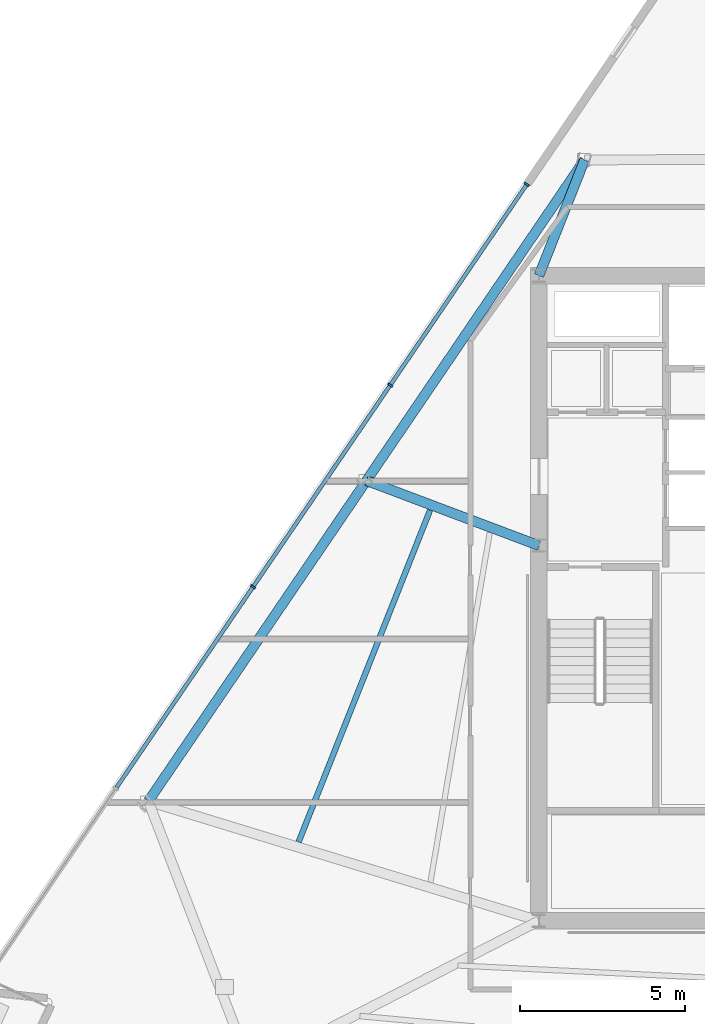
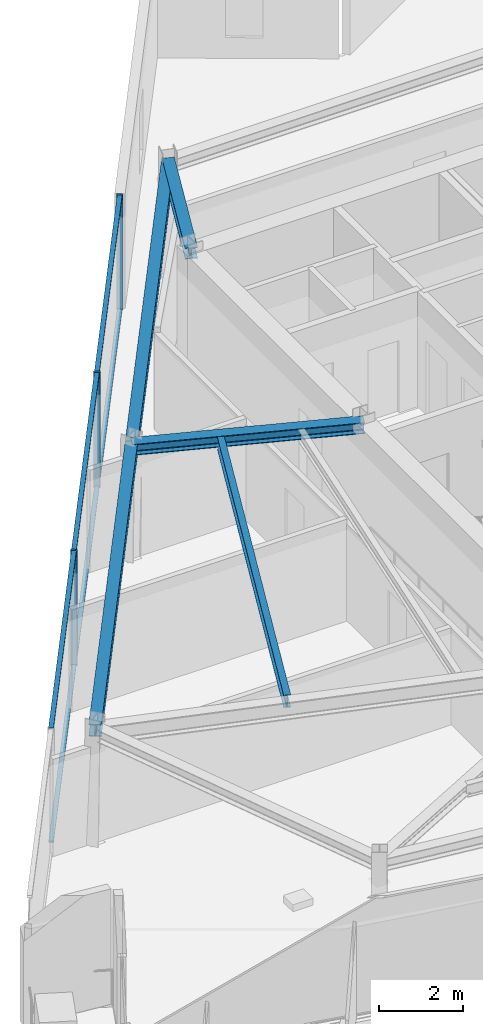
# One storey, part 4 of 14: 9 members, 5 beams, 1 element without a shape of its own.
"""IFC4 building model written with IfcOpenShell, lengths in metres."""

from ifc_helpers import new_model, si_unit, direction, frame, origin, origin_2d, place, context, subcontext, project, spatial, rectangle, i_section, extrude, material, material_profile, profile_set, type_object, element, aggregate, save


model = new_model("IFC4")

# Units and contexts
model_context = context("Model", 3, precision=1e-05, world=origin(), true_north=direction((0.0, 1.0)))
body_context = subcontext(model_context, "Body", "Model", "MODEL_VIEW")
ifc_project = project(units=[si_unit("LENGTHUNIT", "METRE"), si_unit("AREAUNIT", "SQUARE_METRE"), si_unit("VOLUMEUNIT", "CUBIC_METRE"), si_unit("PLANEANGLEUNIT", "RADIAN"), si_unit("MASSUNIT", "GRAM", prefix="KILO")], contexts=[model_context])

# Site, building, storey
site_placement = place(None, origin())
site = spatial("IfcSite", under=ifc_project, at=site_placement, CompositionType="ELEMENT")
building_placement = place(site_placement, origin())
building = spatial("IfcBuilding", under=site, at=building_placement, Name="Savorim Split Tower", CompositionType="ELEMENT")
storey_placement = place(building_placement, frame((0.0, 0.0, 219.89990234375)))
storey = spatial("IfcBuildingStorey", under=building, at=storey_placement, Name="L58", CompositionType="ELEMENT", Elevation=219.89990234375)

# Beams
ifc_material_1 = material(Name="Steel S355", Category="steel")
ifc_material_profile_1 = material_profile(ifc_material_1, i_section(OverallWidth=0.169921875, OverallDepth=0.360107421875, WebThickness=0.008056640625, FlangeThickness=0.0126953125, FilletRadius=0.01806640625, at=origin_2d()), Name="IPE 360")
ifc_profile_set_1 = profile_set([ifc_material_profile_1], Name="Steel S355")
beam_type_1 = type_object("IfcBeamType", Name="BM-JST-IPE360", PredefinedType="JOIST", material=ifc_profile_set_1)
beam_1_placement = place(storey_placement, frame((-11.007568359375, 3.0751953125, 3.170166015625), z_axis=(-0.368300437058, -0.929706829093, 0.0), x_axis=(0.929706829093, -0.368300437058, 0.0)))
element("IfcBeam", 1, at=beam_1_placement, inside=storey, type_object=beam_type_1, Name="L58 Secondary Floor Joist JS-10", PredefinedType="JOIST", context=body_context, shape_type="SweptSolid", body=[
    extrude(i_section(OverallWidth=0.169921875, OverallDepth=0.360107421875, WebThickness=0.008056640625, FlangeThickness=0.0126953125, FilletRadius=0.01806640625, at=origin_2d()), origin(), (0.0, 0.0, 1.0), 10.836181640625),
])
ifc_material_profile_2 = material_profile(ifc_material_1, i_section(OverallWidth=0.300048828125, OverallDepth=0.320068359375, WebThickness=0.011474609375, FlangeThickness=0.0205078125, FilletRadius=0.027099609375, at=origin_2d()), Name="HEB 320")
ifc_profile_set_2 = profile_set([ifc_material_profile_2], Name="Steel S355")
beam_type_2 = type_object("IfcBeamType", Name="BM-PRI-HEB320", PredefinedType="BEAM", material=ifc_profile_set_2)
beam_2_placement = place(storey_placement, frame((-6.3125, 13.71630859375, 3.190185546875), z_axis=(-0.367032718716, -0.930208032319, 0.0), x_axis=(0.930208032319, -0.367032718716, 0.0)))
element("IfcBeam", 2, at=beam_2_placement, inside=storey, type_object=beam_type_2, Name="L58 Primary Floor Girder RG-08", PredefinedType="BEAM", context=body_context, shape_type="SweptSolid", body=[
    extrude(i_section(OverallWidth=0.300048828125, OverallDepth=0.320068359375, WebThickness=0.011474609375, FlangeThickness=0.0205078125, FilletRadius=0.027099609375, at=origin_2d()), origin(), (0.0, 0.0, 1.0), 3.7802734375),
])
beam_3_placement = place(storey_placement, frame((-12.939697265625, 3.974365234375, 3.190185546875), z_axis=(0.935772536446, -0.352604254135, 0.0), x_axis=(0.352604254135, 0.935772536446, 0.0)))
element("IfcBeam", 3, at=beam_3_placement, inside=storey, type_object=beam_type_2, Name="L58 Primary Floor Girder RG-09", PredefinedType="BEAM", context=body_context, shape_type="SweptSolid", body=[
    extrude(i_section(OverallWidth=0.300048828125, OverallDepth=0.320068359375, WebThickness=0.011474609375, FlangeThickness=0.0205078125, FilletRadius=0.027099609375, at=origin_2d()), origin(), (0.0, 0.0, 1.0), 5.599365234375),
])
ifc_material_profile_3 = material_profile(ifc_material_1, i_section(OverallWidth=0.300048828125, OverallDepth=0.35009765625, WebThickness=0.010009765625, FlangeThickness=0.017578125, FilletRadius=0.027099609375, at=origin_2d()), Name="HEA 360")
ifc_profile_set_3 = profile_set([ifc_material_profile_3], Name="Steel S355")
beam_type_3 = type_object("IfcBeamType", Name="BM-SPN-HEA360", PredefinedType="SPANDREL", material=ifc_profile_set_3)
beam_4_placement = place(storey_placement, frame((-6.3125, 13.71630859375, 3.175048828125), z_axis=(-0.562465303915, -0.82682088864, 0.0), x_axis=(0.82682088864, -0.562465303915, 0.0)))
element("IfcBeam", 4, at=beam_4_placement, inside=storey, type_object=beam_type_3, Name="L58 Perimeter Spandrel Beam 8", PredefinedType="SPANDREL", context=body_context, shape_type="SweptSolid", body=[
    extrude(i_section(OverallWidth=0.300048828125, OverallDepth=0.35009765625, WebThickness=0.010009765625, FlangeThickness=0.017578125, FilletRadius=0.027099609375, at=origin_2d()), origin(), (0.0, 0.0, 1.0), 11.782470703125),
])
beam_5_placement = place(storey_placement, frame((-12.939697265625, 3.974365234375, 3.175048828125), z_axis=(-0.562455667681, -0.826827443844, 0.0), x_axis=(0.826827443844, -0.562455667681, 0.0)))
element("IfcBeam", 5, at=beam_5_placement, inside=storey, type_object=beam_type_3, Name="L58 Perimeter Spandrel Beam 9", PredefinedType="SPANDREL", context=body_context, shape_type="SweptSolid", body=[
    extrude(i_section(OverallWidth=0.300048828125, OverallDepth=0.35009765625, WebThickness=0.010009765625, FlangeThickness=0.017578125, FilletRadius=0.027099609375, at=origin_2d()), origin(), (0.0, 0.0, 1.0), 11.78271484375),
])

# Curtain wall, members
ifc_material_2 = material(Name="Dark Ceramic-Fritted Insulated Glass", Category="glass")
curtain_wall_type = type_object("IfcCurtainWallType", Name="CW-TWR-FRIT-B", PredefinedType="NOTDEFINED", material=ifc_material_2)
curtain_wall_placement = place(storey_placement, origin())
curtain_wall = element("IfcCurtainWall", 6, at=curtain_wall_placement, inside=storey, type_object=curtain_wall_type, Name="L58 Curtain Wall CW-L58-WEST", PredefinedType="NOTDEFINED")
ifc_material_3 = material(Name="Charcoal Anodised Aluminium", Category="aluminium")
ifc_material_profile_4 = material_profile(ifc_material_3, rectangle(XDim=0.159912109375, YDim=0.06005859375, at=origin_2d()), Name="ALU-M 160x60")
ifc_profile_set_4 = profile_set([ifc_material_profile_4], Name="Charcoal Anodised Aluminium")
member_type_1 = type_object("IfcMemberType", Name="CWM-160x60", PredefinedType="MULLION", material=ifc_profile_set_4)
member_1_placement = place(storey_placement, frame((-8.0673828125, 12.9736328125, 0.0), z_axis=(0.0, 0.0, 1.0), x_axis=(0.826820024782, -0.562466573779, 0.0)))
member_1 = element("IfcMember", 7, at=member_1_placement, type_object=member_type_1, Name="CW-03 mullion 1", PredefinedType="MULLION", context=body_context, shape_type="SweptSolid", body=[
    extrude(rectangle(XDim=0.159912109375, YDim=0.06005859375, at=origin_2d()), origin(), (0.0, 0.0, 1.0), 3.35009765625),
])
member_2_placement = place(storey_placement, frame((-12.216796875, 6.873779296875, 0.0), z_axis=(0.0, 0.0, 1.0), x_axis=(0.826820024782, -0.562466573779, 0.0)))
member_2 = element("IfcMember", 8, at=member_2_placement, type_object=member_type_1, Name="CW-03 mullion 2", PredefinedType="MULLION", context=body_context, shape_type="SweptSolid", body=[
    extrude(rectangle(XDim=0.159912109375, YDim=0.06005859375, at=origin_2d()), origin(), (0.0, 0.0, 1.0), 3.35009765625),
])
member_3_placement = place(storey_placement, frame((-16.38330078125, 0.7490234375, 0.0), z_axis=(0.0, 0.0, 1.0), x_axis=(0.826820024782, -0.562466573779, 0.0)))
member_3 = element("IfcMember", 9, at=member_3_placement, type_object=member_type_1, Name="CW-03 mullion 3", PredefinedType="MULLION", context=body_context, shape_type="SweptSolid", body=[
    extrude(rectangle(XDim=0.159912109375, YDim=0.06005859375, at=origin_2d()), origin(), (0.0, 0.0, 1.0), 3.35009765625),
])
ifc_material_profile_5 = material_profile(ifc_material_3, rectangle(XDim=0.1201171875, YDim=0.050048828125, at=origin_2d()), Name="ALU-T 120x50")
ifc_profile_set_5 = profile_set([ifc_material_profile_5], Name="Charcoal Anodised Aluminium")
member_type_2 = type_object("IfcMemberType", Name="CWT-120x50", PredefinedType="USERDEFINED", material=ifc_profile_set_5)
member_4_placement = place(storey_placement, frame((-8.084228515625, 12.94873046875, 0.025146484375), z_axis=(-0.562452376398, -0.826829682755, 0.0), x_axis=(0.826829682755, -0.562452376398, 0.0)))
member_4 = element("IfcMember", 10, at=member_4_placement, type_object=member_type_2, Name="CW-03 transom 1.1", ObjectType="TRANSOM", PredefinedType="USERDEFINED", context=body_context, shape_type="SweptSolid", body=[
    extrude(rectangle(XDim=0.1201171875, YDim=0.050048828125, at=origin_2d()), origin(), (0.0, 0.0, 1.0), 7.3173828125),
])
member_5_placement = place(storey_placement, frame((-8.084228515625, 12.94873046875, 3.3251953125), z_axis=(-0.562452376398, -0.826829682755, 0.0), x_axis=(0.826829682755, -0.562452376398, 0.0)))
member_5 = element("IfcMember", 11, at=member_5_placement, type_object=member_type_2, Name="CW-03 transom 1.2", ObjectType="TRANSOM", PredefinedType="USERDEFINED", context=body_context, shape_type="SweptSolid", body=[
    extrude(rectangle(XDim=0.1201171875, YDim=0.050048828125, at=origin_2d()), origin(), (0.0, 0.0, 1.0), 7.3173828125),
])
member_6_placement = place(storey_placement, frame((-12.233642578125, 6.848876953125, 0.025146484375), z_axis=(-0.562481783671, -0.82680967764, 0.0), x_axis=(0.82680967764, -0.562481783671, 0.0)))
member_6 = element("IfcMember", 12, at=member_6_placement, type_object=member_type_2, Name="CW-03 transom 2.1", ObjectType="TRANSOM", PredefinedType="USERDEFINED", context=body_context, shape_type="SweptSolid", body=[
    extrude(rectangle(XDim=0.1201171875, YDim=0.050048828125, at=origin_2d()), origin(), (0.0, 0.0, 1.0), 7.347412109375),
])
member_7_placement = place(storey_placement, frame((-12.233642578125, 6.848876953125, 3.3251953125), z_axis=(-0.562481783671, -0.82680967764, 0.0), x_axis=(0.82680967764, -0.562481783671, 0.0)))
member_7 = element("IfcMember", 13, at=member_7_placement, type_object=member_type_2, Name="CW-03 transom 2.2", ObjectType="TRANSOM", PredefinedType="USERDEFINED", context=body_context, shape_type="SweptSolid", body=[
    extrude(rectangle(XDim=0.1201171875, YDim=0.050048828125, at=origin_2d()), origin(), (0.0, 0.0, 1.0), 7.347412109375),
])
member_8_placement = place(storey_placement, frame((-16.400146484375, 0.724365234375, 0.025146484375), z_axis=(-0.562466330854, -0.826820190039, 0.0), x_axis=(0.826820190039, -0.562466330854, 0.0)))
member_8 = element("IfcMember", 14, at=member_8_placement, type_object=member_type_2, Name="CW-03 transom 3.1", ObjectType="TRANSOM", PredefinedType="USERDEFINED", context=body_context, shape_type="SweptSolid", body=[
    extrude(rectangle(XDim=0.1201171875, YDim=0.050048828125, at=origin_2d()), origin(), (0.0, 0.0, 1.0), 7.34765625),
])
member_9_placement = place(storey_placement, frame((-16.400146484375, 0.724365234375, 3.3251953125), z_axis=(-0.562466330854, -0.826820190039, 0.0), x_axis=(0.826820190039, -0.562466330854, 0.0)))
member_9 = element("IfcMember", 15, at=member_9_placement, type_object=member_type_2, Name="CW-03 transom 3.2", ObjectType="TRANSOM", PredefinedType="USERDEFINED", context=body_context, shape_type="SweptSolid", body=[
    extrude(rectangle(XDim=0.1201171875, YDim=0.050048828125, at=origin_2d()), origin(), (0.0, 0.0, 1.0), 7.34765625),
])
aggregate(curtain_wall, [member_1, member_2, member_3, member_4, member_5, member_6, member_7, member_8, member_9])

save(model, "model.ifc")
